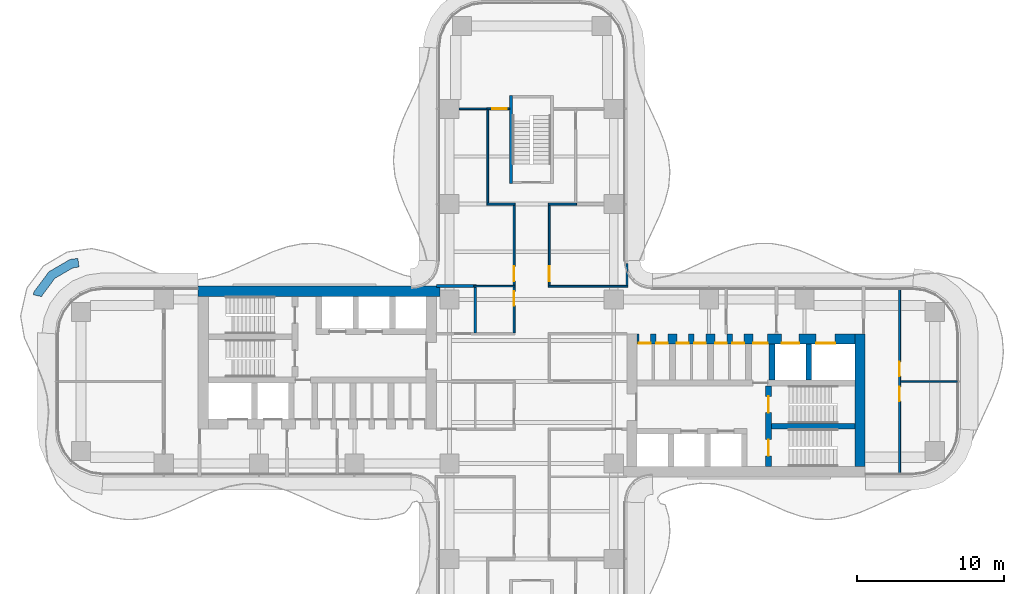
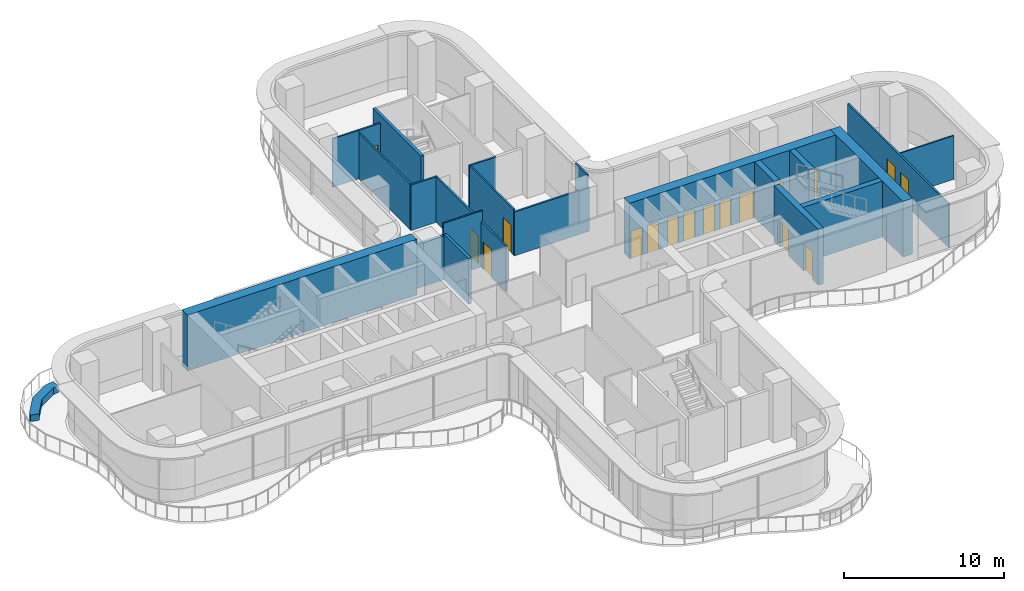
# One storey, part 18 of 21: 24 walls, 17 doors, 17 openings.
"""IFC4 building model written with IfcOpenShell, lengths in metres."""

from ifc_helpers import new_model, si_unit, direction, frame, frame_2d, origin, place, context, subcontext, project, spatial, polyline, rectangle, outline, extrude, source, transform, mapped, material, layer, layer_set, type_object, element, fill, save


model = new_model("IFC4")

# Units and contexts
model_context = context("Model", 3, precision=1e-05, world=origin(), true_north=direction((0.0, 1.0)))
body_context = subcontext(model_context, "Body", "Model", "MODEL_VIEW")
ifc_project = project(units=[si_unit("LENGTHUNIT", "METRE"), si_unit("AREAUNIT", "SQUARE_METRE"), si_unit("VOLUMEUNIT", "CUBIC_METRE"), si_unit("PLANEANGLEUNIT", "RADIAN"), si_unit("MASSUNIT", "GRAM", prefix="KILO")], contexts=[model_context])

# Site, building, storey
site_placement = place(None, origin())
site = spatial("IfcSite", under=ifc_project, at=site_placement, CompositionType="ELEMENT")
building_placement = place(site_placement, origin())
building = spatial("IfcBuilding", under=site, at=building_placement, Name="Trellis Farm Tower", CompositionType="ELEMENT")
storey_placement = place(building_placement, frame((0.0, 0.0, 147.0)))
storey = spatial("IfcBuildingStorey", under=building, at=storey_placement, Name="L31", CompositionType="ELEMENT", Elevation=147.0)

# Walls
ifc_material_1 = material(Name="Sandstone faced masonry planter", Category="masonry")
ifc_layer_1 = layer(ifc_material_1, 0.60009765625)
ifc_layer_set_1 = layer_set([ifc_layer_1], Name="PLANTER BED 600")
wall_type_1 = type_object("IfcWallType", Name="PLANTER BED 600", PredefinedType="USERDEFINED", material=ifc_layer_set_1)
wall_1_placement = place(storey_placement, origin())
element("IfcWall", 1, at=wall_1_placement, inside=storey, type_object=wall_type_1, Name="PLANTER bed", ObjectType="PLANTER", PredefinedType="USERDEFINED", context=body_context, shape_type="SweptSolid", body=[
    extrude(outline(polyline([(-32.934814453125, 7.489013671875), (-31.489990234375, 8.330078125), (-30.95751953125, 8.400634765625), (-30.878662109375, 7.805908203125), (-31.2919921875, 7.751220703125), (-32.527099609375, 7.031982421875), (-33.400146484375, 5.86376953125), (-33.418701171875, 5.782958984375), (-34.00341796875, 5.917724609375), (-33.956298828125, 6.12158203125), (-32.934814453125, 7.489013671875)])), origin(), (0.0, 0.0, 1.0), 0.5),
])
ifc_material_2 = material(Name="Concrete C70/85", Category="concrete")
ifc_layer_2 = layer(ifc_material_2, 0.699951171875)
ifc_layer_set_2 = layer_set([ifc_layer_2], Name="CORE OUTER WALL 700 CONCRETE C70/85")
wall_type_2 = type_object("IfcWallType", Name="CORE OUTER WALL 700 CONCRETE C70/85", PredefinedType="SHEAR", material=ifc_layer_set_2)
shared_shape_1 = source(origin(), body_context, "Body", "SweptSolid", [
    extrude(rectangle(XDim=9.050048828125, YDim=0.699951171875, at=frame_2d((4.52490234375, 0.0))), origin(), (0.0, 0.0, 1.0), 4.25),
])
wall_2_placement = place(storey_placement, frame((22.39990234375, -5.800048828125, 0.0), z_axis=(0.0, 0.0, 1.0), x_axis=(0.0, 1.0, 0.0)))
element("IfcWall", 2, at=wall_2_placement, inside=storey, type_object=wall_type_2, Name="Core wall", PredefinedType="SHEAR", context=body_context, shape_type="MappedRepresentation", body=[
    mapped(shared_shape_1, transform((0.0, 0.0, 0.0))),
])
ifc_layer_3 = layer(ifc_material_2, 0.39990234375)
ifc_layer_set_3 = layer_set([ifc_layer_3], Name="CORE INNER WALL 400 CONCRETE C70/85")
wall_type_3 = type_object("IfcWallType", Name="CORE INNER WALL 400 CONCRETE C70/85", PredefinedType="SHEAR", material=ifc_layer_set_3)
shared_shape_2 = source(origin(), body_context, "Body", "SweptSolid", [
    extrude(rectangle(XDim=2.449951171875, YDim=0.39990234375, at=frame_2d((1.22509765625, 0.0))), origin(), (0.0, 0.0, 1.0), 4.25),
])
for number, where, z_axis, x_axis, name in (
    (3, (16.39990234375, 0.10009765625, 0.0), (0.0, 0.0, 1.0), (0.0, 1.0, 0.0), "Core wall"),
    (4, (18.89990234375, 0.10009765625, 0.0), (0.0, 0.0, 1.0), (0.0, 1.0, 0.0), "Core wall"),
):
    element("IfcWall", number, at=place(storey_placement, frame(where, z_axis=z_axis, x_axis=x_axis)), inside=storey, type_object=wall_type_3, Name=name, PredefinedType="SHEAR", context=body_context, shape_type="MappedRepresentation", body=[
        mapped(shared_shape_2, transform((0.0, 0.0, 0.0))),
    ])

# Wall, openings, doors
shared_shape_3 = source(origin(), body_context, "Body", "SweptSolid", [
    extrude(rectangle(XDim=14.85009765625, YDim=0.699951171875, at=frame_2d((7.425048828125, 0.0))), origin(), (0.0, 0.0, 1.0), 4.25),
])
wall_3_placement = place(storey_placement, frame((7.199951171875, 2.89990234375, 0.0), z_axis=(0.0, 0.0, 1.0), x_axis=(1.0, 0.0, 0.0)))
wall_3 = element("IfcWall", 5, at=wall_3_placement, inside=storey, type_object=wall_type_2, Name="Core wall", PredefinedType="SHEAR", context=body_context, shape_type="MappedRepresentation", body=[
    mapped(shared_shape_3, transform((0.0, 0.0, 0.0))),
])
shared_shape_4 = source(origin(), body_context, "Body", "SweptSolid", [
    extrude(rectangle(XDim=1.300048828125, YDim=2.10009765625, at=frame_2d((0.64990234375, 1.050048828125))), frame((0.0, 0.360107421875, 0.0), z_axis=(0.0, -1.0, 0.0), x_axis=(1.0, 0.0, 0.0)), (0.0, 0.0, 1.0), 0.72021484375),
])
opening_1_placement = place(wall_3_placement, frame((12.199951171875, 0.0, 0.0)))
opening_1 = element("IfcOpeningElement", 6, at=opening_1_placement, cuts=wall_3, Name="Opening LD7", PredefinedType="OPENING", context=body_context, shape_type="MappedRepresentation", body=[
    mapped(shared_shape_4, transform((0.0, 0.0, 0.0))),
])
shared_shape_5 = source(origin(), body_context, "Body", "SweptSolid", [
    extrude(rectangle(XDim=1.199951171875, YDim=2.10009765625, at=frame_2d((0.60009765625, 1.050048828125))), frame((0.0, 0.360107421875, 0.0), z_axis=(0.0, -1.0, 0.0), x_axis=(1.0, 0.0, 0.0)), (0.0, 0.0, 1.0), 0.72021484375),
])
opening_2_placement = place(wall_3_placement, frame((9.85009765625, 0.0, 0.0)))
opening_2 = element("IfcOpeningElement", 7, at=opening_2_placement, cuts=wall_3, Name="Opening LD8", PredefinedType="OPENING", context=body_context, shape_type="MappedRepresentation", body=[
    mapped(shared_shape_5, transform((0.0, 0.0, 0.0))),
])
shared_shape_6 = source(origin(), body_context, "Body", "SweptSolid", [
    extrude(rectangle(XDim=1.0, YDim=2.10009765625, at=frame_2d((0.5, 1.050048828125))), frame((0.0, 0.360107421875, 0.0), z_axis=(0.0, -1.0, 0.0), x_axis=(1.0, 0.0, 0.0)), (0.0, 0.0, 1.0), 0.72021484375),
])
opening_3_placement = place(wall_3_placement, frame((7.89990234375, 0.0, 0.0)))
opening_3 = element("IfcOpeningElement", 8, at=opening_3_placement, cuts=wall_3, Name="Opening DC6", PredefinedType="OPENING", context=body_context, shape_type="MappedRepresentation", body=[
    mapped(shared_shape_6, transform((0.0, 0.0, 0.0))),
])
shared_shape_7 = source(origin(), body_context, "Body", "SweptSolid", [
    extrude(rectangle(XDim=0.800048828125, YDim=2.10009765625, at=frame_2d((0.39990234375, 1.050048828125))), frame((0.0, 0.360107421875, 0.0), z_axis=(0.0, -1.0, 0.0), x_axis=(1.0, 0.0, 0.0)), (0.0, 0.0, 1.0), 0.72021484375),
])
opening_4_placement = place(wall_3_placement, frame((0.112548828125, 0.0, 0.0)))
opening_4 = element("IfcOpeningElement", 9, at=opening_4_placement, cuts=wall_3, Name="Opening DC9", PredefinedType="OPENING", context=body_context, shape_type="MappedRepresentation", body=[
    mapped(shared_shape_7, transform((0.0, 0.0, 0.0))),
])
opening_5_placement = place(wall_3_placement, frame((1.28759765625, 0.0, 0.0)))
opening_5 = element("IfcOpeningElement", 10, at=opening_5_placement, cuts=wall_3, Name="Opening DC16", PredefinedType="OPENING", context=body_context, shape_type="MappedRepresentation", body=[
    mapped(shared_shape_7, transform((0.0, 0.0, 0.0))),
])
opening_6_placement = place(wall_3_placement, frame((2.71240234375, 0.0, 0.0)))
opening_6 = element("IfcOpeningElement", 11, at=opening_6_placement, cuts=wall_3, Name="Opening DC21", PredefinedType="OPENING", context=body_context, shape_type="MappedRepresentation", body=[
    mapped(shared_shape_7, transform((0.0, 0.0, 0.0))),
])
opening_7_placement = place(wall_3_placement, frame((3.887451171875, 0.0, 0.0)))
opening_7 = element("IfcOpeningElement", 12, at=opening_7_placement, cuts=wall_3, Name="Opening DC28", PredefinedType="OPENING", context=body_context, shape_type="MappedRepresentation", body=[
    mapped(shared_shape_7, transform((0.0, 0.0, 0.0))),
])
opening_8_placement = place(wall_3_placement, frame((5.3125, 0.0, 0.0)))
opening_8 = element("IfcOpeningElement", 13, at=opening_8_placement, cuts=wall_3, Name="Opening DC33", PredefinedType="OPENING", context=body_context, shape_type="MappedRepresentation", body=[
    mapped(shared_shape_7, transform((0.0, 0.0, 0.0))),
])
opening_9_placement = place(wall_3_placement, frame((6.487548828125, 0.0, 0.0)))
opening_9 = element("IfcOpeningElement", 14, at=opening_9_placement, cuts=wall_3, Name="Opening DC40", PredefinedType="OPENING", context=body_context, shape_type="MappedRepresentation", body=[
    mapped(shared_shape_7, transform((0.0, 0.0, 0.0))),
])
ifc_material_3 = material(Name="Steel", Category="steel")
door_type_1 = type_object("IfcDoorType", Name="CORE FIRE DOOR 1000 X 2100", OperationType="NOTDEFINED", PredefinedType="DOOR", material=ifc_material_3)
shared_shape_8 = source(origin(), body_context, "Body", "SweptSolid", [
    extrude(rectangle(XDim=1.0, YDim=2.10009765625, at=frame_2d((0.5, 1.050048828125))), frame((0.0, -0.27490234375, 0.0), z_axis=(0.0, -1.0, 0.0), x_axis=(1.0, 0.0, 0.0)), (0.0, 0.0, 1.0), 0.050048828125),
])
door_1_placement = place(opening_3_placement, origin())
door_1 = element("IfcDoor", 15, at=door_1_placement, inside=storey, type_object=door_type_1, Name="Core door", OperationType="SINGLE_SWING_LEFT", OverallHeight=2.10009765625, OverallWidth=1.0, PredefinedType="DOOR", context=body_context, shape_type="MappedRepresentation", body=[
    mapped(shared_shape_8, transform((0.0, 0.0, 0.0))),
])
fill(opening_3, door_1)
ifc_material_4 = material(Name="Stainless steel", Category="steel")
door_type_2 = type_object("IfcDoorType", Name="LIFT LANDING DOOR 1300 X 2100", OperationType="DOUBLE_DOOR_SLIDING", PredefinedType="DOOR", material=ifc_material_4)
shared_shape_9 = source(origin(), body_context, "Body", "SweptSolid", [
    extrude(rectangle(XDim=1.300048828125, YDim=2.10009765625, at=frame_2d((0.64990234375, 1.050048828125))), frame((0.0, -0.27490234375, 0.0), z_axis=(0.0, -1.0, 0.0), x_axis=(1.0, 0.0, 0.0)), (0.0, 0.0, 1.0), 0.050048828125),
])
door_2_placement = place(opening_1_placement, origin())
door_2 = element("IfcDoor", 16, at=door_2_placement, inside=storey, type_object=door_type_2, Name="Lift landing door", OperationType="DOUBLE_DOOR_SLIDING", OverallHeight=2.10009765625, OverallWidth=1.300048828125, PredefinedType="DOOR", context=body_context, shape_type="MappedRepresentation", body=[
    mapped(shared_shape_9, transform((0.0, 0.0, 0.0))),
])
fill(opening_1, door_2)
door_type_3 = type_object("IfcDoorType", Name="LIFT LANDING DOOR 1200 X 2100", OperationType="DOUBLE_DOOR_SLIDING", PredefinedType="DOOR", material=ifc_material_4)
shared_shape_10 = source(origin(), body_context, "Body", "SweptSolid", [
    extrude(rectangle(XDim=1.199951171875, YDim=2.10009765625, at=frame_2d((0.60009765625, 1.050048828125))), frame((0.0, -0.27490234375, 0.0), z_axis=(0.0, -1.0, 0.0), x_axis=(1.0, 0.0, 0.0)), (0.0, 0.0, 1.0), 0.050048828125),
])
door_3_placement = place(opening_2_placement, origin())
door_3 = element("IfcDoor", 17, at=door_3_placement, inside=storey, type_object=door_type_3, Name="Lift landing door", OperationType="DOUBLE_DOOR_SLIDING", OverallHeight=2.10009765625, OverallWidth=1.199951171875, PredefinedType="DOOR", context=body_context, shape_type="MappedRepresentation", body=[
    mapped(shared_shape_10, transform((0.0, 0.0, 0.0))),
])
fill(opening_2, door_3)
door_type_4 = type_object("IfcDoorType", Name="CORE FIRE DOOR 800 X 2100", OperationType="NOTDEFINED", PredefinedType="DOOR", material=ifc_material_3)
shared_shape_11 = source(origin(), body_context, "Body", "SweptSolid", [
    extrude(rectangle(XDim=0.800048828125, YDim=2.10009765625, at=frame_2d((0.39990234375, 1.050048828125))), frame((0.0, -0.27490234375, 0.0), z_axis=(0.0, -1.0, 0.0), x_axis=(1.0, 0.0, 0.0)), (0.0, 0.0, 1.0), 0.050048828125),
])
door_4_placement = place(opening_4_placement, origin())
door_4 = element("IfcDoor", 18, at=door_4_placement, inside=storey, type_object=door_type_4, Name="Core door", OperationType="SINGLE_SWING_LEFT", OverallHeight=2.10009765625, OverallWidth=0.800048828125, PredefinedType="DOOR", context=body_context, shape_type="MappedRepresentation", body=[
    mapped(shared_shape_11, transform((0.0, 0.0, 0.0))),
])
fill(opening_4, door_4)
door_5_placement = place(opening_5_placement, origin())
door_5 = element("IfcDoor", 19, at=door_5_placement, inside=storey, type_object=door_type_4, Name="Core door", OperationType="SINGLE_SWING_RIGHT", OverallHeight=2.10009765625, OverallWidth=0.800048828125, PredefinedType="DOOR", context=body_context, shape_type="MappedRepresentation", body=[
    mapped(shared_shape_11, transform((0.0, 0.0, 0.0))),
])
fill(opening_5, door_5)
door_6_placement = place(opening_6_placement, origin())
door_6 = element("IfcDoor", 20, at=door_6_placement, inside=storey, type_object=door_type_4, Name="Core door", OperationType="SINGLE_SWING_LEFT", OverallHeight=2.10009765625, OverallWidth=0.800048828125, PredefinedType="DOOR", context=body_context, shape_type="MappedRepresentation", body=[
    mapped(shared_shape_11, transform((0.0, 0.0, 0.0))),
])
fill(opening_6, door_6)
door_7_placement = place(opening_7_placement, origin())
door_7 = element("IfcDoor", 21, at=door_7_placement, inside=storey, type_object=door_type_4, Name="Core door", OperationType="SINGLE_SWING_RIGHT", OverallHeight=2.10009765625, OverallWidth=0.800048828125, PredefinedType="DOOR", context=body_context, shape_type="MappedRepresentation", body=[
    mapped(shared_shape_11, transform((0.0, 0.0, 0.0))),
])
fill(opening_7, door_7)
door_8_placement = place(opening_8_placement, origin())
door_8 = element("IfcDoor", 22, at=door_8_placement, inside=storey, type_object=door_type_4, Name="Core door", OperationType="SINGLE_SWING_LEFT", OverallHeight=2.10009765625, OverallWidth=0.800048828125, PredefinedType="DOOR", context=body_context, shape_type="MappedRepresentation", body=[
    mapped(shared_shape_11, transform((0.0, 0.0, 0.0))),
])
fill(opening_8, door_8)
door_9_placement = place(opening_9_placement, origin())
door_9 = element("IfcDoor", 23, at=door_9_placement, inside=storey, type_object=door_type_4, Name="Core door", OperationType="SINGLE_SWING_RIGHT", OverallHeight=2.10009765625, OverallWidth=0.800048828125, PredefinedType="DOOR", context=body_context, shape_type="MappedRepresentation", body=[
    mapped(shared_shape_11, transform((0.0, 0.0, 0.0))),
])
fill(opening_9, door_9)

shared_shape_12 = source(origin(), body_context, "Body", "SweptSolid", [
    extrude(rectangle(XDim=5.5, YDim=0.39990234375, at=frame_2d((2.75, 0.0))), origin(), (0.0, 0.0, 1.0), 4.25),
])
wall_4_placement = place(storey_placement, frame((16.14990234375, -5.800048828125, 0.0), z_axis=(0.0, 0.0, 1.0), x_axis=(0.0, 1.0, 0.0)))
wall_4 = element("IfcWall", 24, at=wall_4_placement, inside=storey, type_object=wall_type_3, Name="Core wall", PredefinedType="SHEAR", context=body_context, shape_type="MappedRepresentation", body=[
    mapped(shared_shape_12, transform((0.0, 0.0, 0.0))),
])
shared_shape_13 = source(origin(), body_context, "Body", "SweptSolid", [
    extrude(rectangle(XDim=1.10009765625, YDim=2.10009765625, at=frame_2d((0.550048828125, 1.050048828125))), frame((0.0, 0.2099609375, 0.0), z_axis=(0.0, -1.0, 0.0), x_axis=(1.0, 0.0, 0.0)), (0.0, 0.0, 1.0), 0.419921875),
])
opening_10_placement = place(wall_4_placement, frame((0.72509765625, 0.0, 0.0)))
opening_10 = element("IfcOpeningElement", 25, at=opening_10_placement, cuts=wall_4, Name="Opening DC2", PredefinedType="OPENING", context=body_context, shape_type="MappedRepresentation", body=[
    mapped(shared_shape_13, transform((0.0, 0.0, 0.0))),
])
opening_11_placement = place(wall_4_placement, frame((3.675048828125, 0.0, 0.0)))
opening_11 = element("IfcOpeningElement", 26, at=opening_11_placement, cuts=wall_4, Name="Opening DC3", PredefinedType="OPENING", context=body_context, shape_type="MappedRepresentation", body=[
    mapped(shared_shape_13, transform((0.0, 0.0, 0.0))),
])
door_type_5 = type_object("IfcDoorType", Name="CORE FIRE DOOR 1100 X 2100", OperationType="NOTDEFINED", PredefinedType="DOOR", material=ifc_material_3)
shared_shape_14 = source(origin(), body_context, "Body", "SweptSolid", [
    extrude(rectangle(XDim=1.10009765625, YDim=2.10009765625, at=frame_2d((0.550048828125, 1.050048828125))), frame((0.0, 0.02490234375, 0.0), z_axis=(0.0, -1.0, 0.0), x_axis=(1.0, 0.0, 0.0)), (0.0, 0.0, 1.0), 0.050048828125),
])
door_10_placement = place(opening_10_placement, origin())
door_10 = element("IfcDoor", 27, at=door_10_placement, inside=storey, type_object=door_type_5, Name="Core door", OperationType="SINGLE_SWING_RIGHT", OverallHeight=2.10009765625, OverallWidth=1.10009765625, PredefinedType="DOOR", context=body_context, shape_type="MappedRepresentation", body=[
    mapped(shared_shape_14, transform((0.0, 0.0, 0.0))),
])
fill(opening_10, door_10)
door_11_placement = place(opening_11_placement, origin())
door_11 = element("IfcDoor", 28, at=door_11_placement, inside=storey, type_object=door_type_5, Name="Core door", OperationType="SINGLE_SWING_LEFT", OverallHeight=2.10009765625, OverallWidth=1.10009765625, PredefinedType="DOOR", context=body_context, shape_type="MappedRepresentation", body=[
    mapped(shared_shape_14, transform((0.0, 0.0, 0.0))),
])
fill(opening_11, door_11)

# Walls
shared_shape_15 = source(origin(), body_context, "Body", "SweptSolid", [
    extrude(rectangle(XDim=5.699951171875, YDim=0.39990234375, at=frame_2d((2.85009765625, 0.0))), origin(), (0.0, 0.0, 1.0), 4.25),
])
wall_5_placement = place(storey_placement, frame((16.35009765625, -3.050048828125, 0.0), z_axis=(0.0, 0.0, 1.0), x_axis=(1.0, 0.0, 0.0)))
element("IfcWall", 29, at=wall_5_placement, inside=storey, type_object=wall_type_3, Name="Core wall", PredefinedType="SHEAR", context=body_context, shape_type="MappedRepresentation", body=[
    mapped(shared_shape_15, transform((0.0, 0.0, 0.0))),
])
shared_shape_16 = source(origin(), body_context, "Body", "SweptSolid", [
    extrude(rectangle(XDim=16.5, YDim=0.699951171875, at=frame_2d((8.25, 0.0))), origin(), (0.0, 0.0, 1.0), 4.25),
])
wall_6_placement = place(storey_placement, frame((-6.25, 6.14990234375, 0.0), z_axis=(0.0, 0.0, 1.0), x_axis=(-1.0, 0.0, 0.0)))
element("IfcWall", 30, at=wall_6_placement, inside=storey, type_object=wall_type_2, Name="Core wall", PredefinedType="SHEAR", context=body_context, shape_type="MappedRepresentation", body=[
    mapped(shared_shape_16, transform((0.0, 0.0, 0.0))),
])
ifc_layer_4 = layer(ifc_material_2, 0.199951171875)
ifc_layer_set_4 = layer_set([ifc_layer_4], Name="CORE STAIR ENCLOSURE WALL 200 CONCRETE C70/85")
wall_type_4 = type_object("IfcWallType", Name="CORE STAIR ENCLOSURE WALL 200 CONCRETE C70/85", PredefinedType="SHEAR", material=ifc_layer_set_4)
shared_shape_17 = source(origin(), body_context, "Body", "SweptSolid", [
    extrude(rectangle(XDim=6.0, YDim=0.199951171875, at=frame_2d((3.0, 0.0))), origin(), (0.0, 0.0, 1.0), 4.25),
])
wall_7_placement = place(storey_placement, frame((-1.39990234375, 13.5, 0.0), z_axis=(0.0, 0.0, 1.0), x_axis=(0.0, 1.0, 0.0)))
element("IfcWall", 31, at=wall_7_placement, inside=storey, type_object=wall_type_4, Name="Stair enclosure wall", PredefinedType="SHEAR", context=body_context, shape_type="MappedRepresentation", body=[
    mapped(shared_shape_17, transform((0.0, 0.0, 0.0))),
])

# Wall, opening, door
ifc_material_5 = material(Name="Plasterboard on steel studs, mineral wool", Category="steel")
ifc_layer_5 = layer(ifc_material_5, 0.125)
ifc_layer_set_5 = layer_set([ifc_layer_5], Name="PARTITION 125 STUD EI 60")
wall_type_5 = type_object("IfcWallType", Name="PARTITION 125 STUD EI 60", PredefinedType="PARTITIONING", material=ifc_layer_set_5)
shared_shape_18 = source(origin(), body_context, "Body", "SweptSolid", [
    extrude(rectangle(XDim=5.47509765625, YDim=0.125, at=frame_2d((2.737548828125, 0.0))), origin(), (0.0, 0.0, 1.0), 3.4677734375),
])
wall_8_placement = place(storey_placement, frame((1.199951171875, 12.03759765625, 0.0), z_axis=(0.0, 0.0, 1.0), x_axis=(0.0, -1.0, 0.0)))
wall_8 = element("IfcWall", 32, at=wall_8_placement, inside=storey, type_object=wall_type_5, Name="Partition PW1", PredefinedType="PARTITIONING", context=body_context, shape_type="MappedRepresentation", body=[
    mapped(shared_shape_18, transform((0.0, 0.0, 0.0))),
])
shared_shape_19 = source(origin(), body_context, "Body", "SweptSolid", [
    extrude(rectangle(XDim=1.0, YDim=2.10009765625, at=frame_2d((0.5, 1.050048828125))), frame((0.0, 0.072509765625, 0.0), z_axis=(0.0, -1.0, 0.0), x_axis=(1.0, 0.0, 0.0)), (0.0, 0.0, 1.0), 0.14501953125),
])
opening_12_placement = place(wall_8_placement, frame((4.1875, 0.0, 0.0)))
opening_12 = element("IfcOpeningElement", 33, at=opening_12_placement, cuts=wall_8, Name="Opening D304", PredefinedType="OPENING", context=body_context, shape_type="MappedRepresentation", body=[
    mapped(shared_shape_19, transform((0.0, 0.0, 0.0))),
])
ifc_material_6 = material(Name="Fire-rated timber door leaf in a hollow metal frame", Category="wood")
door_type_6 = type_object("IfcDoorType", Name="DOOR 1000x2100 FD60", OperationType="NOTDEFINED", PredefinedType="DOOR", material=ifc_material_6)
shared_shape_20 = source(origin(), body_context, "Body", "SweptSolid", [
    extrude(rectangle(XDim=1.0, YDim=2.10009765625, at=frame_2d((0.5, 1.050048828125))), frame((0.0, 0.02490234375, 0.0), z_axis=(0.0, -1.0, 0.0), x_axis=(1.0, 0.0, 0.0)), (0.0, 0.0, 1.0), 0.050048828125),
])
door_12_placement = place(opening_12_placement, origin())
door_12 = element("IfcDoor", 34, at=door_12_placement, inside=storey, type_object=door_type_6, Name="Door D304", OperationType="SINGLE_SWING_RIGHT", OverallHeight=2.10009765625, OverallWidth=1.0, PredefinedType="DOOR", context=body_context, shape_type="MappedRepresentation", body=[
    mapped(shared_shape_20, transform((0.0, 0.0, 0.0))),
])
fill(opening_12, door_12)

# Walls
shared_shape_21 = source(origin(), body_context, "Body", "SweptSolid", [
    extrude(rectangle(XDim=1.468994140625, YDim=0.125, at=frame_2d((0.734375, 0.0))), origin(), (0.0, 0.0, 1.0), 4.25),
])
wall_9_placement = place(storey_placement, frame((6.5, 6.5625, 0.0), z_axis=(0.0, 0.0, 1.0), x_axis=(0.0, 1.0, 0.0)))
element("IfcWall", 35, at=wall_9_placement, inside=storey, type_object=wall_type_5, Name="Partition PW1", PredefinedType="PARTITIONING", context=body_context, shape_type="MappedRepresentation", body=[
    mapped(shared_shape_21, transform((0.0, 0.0, 0.0))),
])
shared_shape_22 = source(origin(), body_context, "Body", "SweptSolid", [
    extrude(rectangle(XDim=1.925048828125, YDim=0.125, at=frame_2d((0.96240234375, 0.0))), origin(), (0.0, 0.0, 1.0), 3.4677734375),
])
for number, where, z_axis, x_axis, name in (
    (36, (-1.137451171875, 12.10009765625, 0.0), (0.0, 0.0, 1.0), (-1.0, 0.0, 0.0), "Partition PW1"),
    (37, (3.0625, 12.10009765625, 0.0), (0.0, 0.0, 1.0), (-1.0, 0.0, 0.0), "Partition PW1"),
):
    element("IfcWall", number, at=place(storey_placement, frame(where, z_axis=z_axis, x_axis=x_axis)), inside=storey, type_object=wall_type_5, Name=name, PredefinedType="PARTITIONING", context=body_context, shape_type="MappedRepresentation", body=[
        mapped(shared_shape_22, transform((0.0, 0.0, 0.0))),
    ])
shared_shape_23 = source(origin(), body_context, "Body", "SweptSolid", [
    extrude(rectangle(XDim=5.425048828125, YDim=0.125, at=frame_2d((2.71240234375, 0.0))), origin(), (0.0, 0.0, 1.0), 3.330078125),
])
wall_10_placement = place(storey_placement, frame((1.137451171875, 6.5, 0.0), z_axis=(0.0, 0.0, 1.0), x_axis=(1.0, 0.0, 0.0)))
element("IfcWall", 38, at=wall_10_placement, inside=storey, type_object=wall_type_5, Name="Partition PW1", PredefinedType="PARTITIONING", context=body_context, shape_type="MappedRepresentation", body=[
    mapped(shared_shape_23, transform((0.0, 0.0, 0.0))),
])

# Wall, opening, door
shared_shape_24 = source(origin(), body_context, "Body", "SweptSolid", [
    extrude(rectangle(XDim=3.137451171875, YDim=0.125, at=frame_2d((1.56884765625, 0.0))), origin(), (0.0, 0.0, 1.0), 3.4677734375),
])
wall_11_placement = place(storey_placement, frame((-1.199951171875, 6.449951171875, 0.0), z_axis=(0.0, 0.0, 1.0), x_axis=(0.0, -1.0, 0.0)))
wall_11 = element("IfcWall", 39, at=wall_11_placement, inside=storey, type_object=wall_type_5, Name="Partition PW1", PredefinedType="PARTITIONING", context=body_context, shape_type="MappedRepresentation", body=[
    mapped(shared_shape_24, transform((0.0, 0.0, 0.0))),
])
opening_13_placement = place(wall_11_placement, frame((0.300048828125, 0.0, 0.0)))
opening_13 = element("IfcOpeningElement", 40, at=opening_13_placement, cuts=wall_11, Name="Opening D111", PredefinedType="OPENING", context=body_context, shape_type="MappedRepresentation", body=[
    mapped(shared_shape_19, transform((0.0, 0.0, 0.0))),
])
door_type_7 = type_object("IfcDoorType", Name="DOOR 1000x2100 FD30S", OperationType="NOTDEFINED", PredefinedType="DOOR", material=ifc_material_6)
door_13_placement = place(opening_13_placement, origin())
door_13 = element("IfcDoor", 41, at=door_13_placement, inside=storey, type_object=door_type_7, Name="Door D111", OperationType="SINGLE_SWING_LEFT", OverallHeight=2.10009765625, OverallWidth=1.0, PredefinedType="DOOR", context=body_context, shape_type="MappedRepresentation", body=[
    mapped(shared_shape_20, transform((0.0, 0.0, 0.0))),
])
fill(opening_13, door_13)

shared_shape_25 = source(origin(), body_context, "Body", "SweptSolid", [
    extrude(rectangle(XDim=5.487548828125, YDim=0.125, at=frame_2d((2.74365234375, 0.0))), origin(), (0.0, 0.0, 1.0), 3.4677734375),
])
wall_12_placement = place(storey_placement, frame((-1.199951171875, 6.550048828125, 0.0), z_axis=(0.0, 0.0, 1.0), x_axis=(0.0, 1.0, 0.0)))
wall_12 = element("IfcWall", 42, at=wall_12_placement, inside=storey, type_object=wall_type_5, Name="Partition PW1", PredefinedType="PARTITIONING", context=body_context, shape_type="MappedRepresentation", body=[
    mapped(shared_shape_25, transform((0.0, 0.0, 0.0))),
])
opening_14_placement = place(wall_12_placement, frame((0.300048828125, 0.0, 0.0)))
opening_14 = element("IfcOpeningElement", 43, at=opening_14_placement, cuts=wall_12, Name="Opening D112", PredefinedType="OPENING", context=body_context, shape_type="MappedRepresentation", body=[
    mapped(shared_shape_19, transform((0.0, 0.0, 0.0))),
])
door_14_placement = place(opening_14_placement, origin())
door_14 = element("IfcDoor", 44, at=door_14_placement, inside=storey, type_object=door_type_7, Name="Door D112", OperationType="SINGLE_SWING_LEFT", OverallHeight=2.10009765625, OverallWidth=1.0, PredefinedType="DOOR", context=body_context, shape_type="MappedRepresentation", body=[
    mapped(shared_shape_20, transform((0.0, 0.0, 0.0))),
])
fill(opening_14, door_14)

shared_shape_26 = source(origin(), body_context, "Body", "SweptSolid", [
    extrude(rectangle(XDim=1.5625, YDim=0.125, at=frame_2d((0.78125, 0.0))), origin(), (0.0, 0.0, 1.0), 3.697021484375),
])
wall_13_placement = place(storey_placement, frame((-3.0625, 18.60009765625, 0.0), z_axis=(0.0, 0.0, 1.0), x_axis=(1.0, 0.0, 0.0)))
wall_13 = element("IfcWall", 45, at=wall_13_placement, inside=storey, type_object=wall_type_5, Name="Partition PW1", PredefinedType="PARTITIONING", context=body_context, shape_type="MappedRepresentation", body=[
    mapped(shared_shape_26, transform((0.0, 0.0, 0.0))),
])
opening_15_placement = place(wall_13_placement, frame((0.362548828125, 0.0, 0.0)))
opening_15 = element("IfcOpeningElement", 46, at=opening_15_placement, cuts=wall_13, Name="Opening D114", PredefinedType="OPENING", context=body_context, shape_type="MappedRepresentation", body=[
    mapped(shared_shape_19, transform((0.0, 0.0, 0.0))),
])
door_15_placement = place(opening_15_placement, origin())
door_15 = element("IfcDoor", 47, at=door_15_placement, inside=storey, type_object=door_type_7, Name="Door D114", OperationType="SINGLE_SWING_RIGHT", OverallHeight=2.10009765625, OverallWidth=1.0, PredefinedType="DOOR", context=body_context, shape_type="MappedRepresentation", body=[
    mapped(shared_shape_20, transform((0.0, 0.0, 0.0))),
])
fill(opening_15, door_15)

# Walls
shared_shape_27 = source(origin(), body_context, "Body", "SweptSolid", [
    extrude(rectangle(XDim=6.387451171875, YDim=0.125, at=frame_2d((3.19384765625, 0.0))), origin(), (0.0, 0.0, 1.0), 3.4677734375),
])
wall_14_placement = place(storey_placement, frame((-3.0, 12.16259765625, 0.0), z_axis=(0.0, 0.0, 1.0), x_axis=(0.0, 1.0, 0.0)))
element("IfcWall", 48, at=wall_14_placement, inside=storey, type_object=wall_type_5, Name="Partition PW1", PredefinedType="PARTITIONING", context=body_context, shape_type="MappedRepresentation", body=[
    mapped(shared_shape_27, transform((0.0, 0.0, 0.0))),
])
ifc_material_7 = material(Name="Plasterboard on steel studs", Category="steel")
ifc_layer_6 = layer(ifc_material_7, 0.10009765625)
ifc_layer_set_6 = layer_set([ifc_layer_6], Name="PARTITION 100 STUD EI 30")
wall_type_6 = type_object("IfcWallType", Name="PARTITION 100 STUD EI 30", PredefinedType="PARTITIONING", material=ifc_layer_set_6)
shared_shape_28 = source(origin(), body_context, "Body", "SweptSolid", [
    extrude(rectangle(XDim=2.012451171875, YDim=0.10009765625, at=frame_2d((1.00634765625, 0.0))), origin(), (0.0, 0.0, 1.0), 3.697021484375),
])
wall_15_placement = place(storey_placement, frame((-4.949951171875, 18.60009765625, 0.0), z_axis=(0.0, 0.0, 1.0), x_axis=(1.0, 0.0, 0.0)))
element("IfcWall", 49, at=wall_15_placement, inside=storey, type_object=wall_type_6, Name="Partition PW2", PredefinedType="PARTITIONING", context=body_context, shape_type="MappedRepresentation", body=[
    mapped(shared_shape_28, transform((0.0, 0.0, 0.0))),
])

# Wall, openings, doors
shared_shape_29 = source(origin(), body_context, "Body", "SweptSolid", [
    extrude(rectangle(XDim=12.60009765625, YDim=0.125, at=frame_2d((6.300048828125, 0.0))), origin(), (0.0, 0.0, 1.0), 3.330078125),
])
wall_16_placement = place(storey_placement, frame((25.10009765625, 6.300048828125, 0.0), z_axis=(0.0, 0.0, 1.0), x_axis=(0.0, -1.0, 0.0)))
wall_16 = element("IfcWall", 50, at=wall_16_placement, inside=storey, type_object=wall_type_5, Name="Partition PW1", PredefinedType="PARTITIONING", context=body_context, shape_type="MappedRepresentation", body=[
    mapped(shared_shape_29, transform((0.0, 0.0, 0.0))),
])
opening_16_placement = place(wall_16_placement, frame((6.64990234375, 0.0, 0.0)))
opening_16 = element("IfcOpeningElement", 51, at=opening_16_placement, cuts=wall_16, Name="Opening D107", PredefinedType="OPENING", context=body_context, shape_type="MappedRepresentation", body=[
    mapped(shared_shape_19, transform((0.0, 0.0, 0.0))),
])
opening_17_placement = place(wall_16_placement, frame((4.949951171875, 0.0, 0.0)))
opening_17 = element("IfcOpeningElement", 52, at=opening_17_placement, cuts=wall_16, Name="Opening D109", PredefinedType="OPENING", context=body_context, shape_type="MappedRepresentation", body=[
    mapped(shared_shape_19, transform((0.0, 0.0, 0.0))),
])
door_16_placement = place(opening_16_placement, origin())
door_16 = element("IfcDoor", 53, at=door_16_placement, inside=storey, type_object=door_type_7, Name="Door D107", OperationType="SINGLE_SWING_LEFT", OverallHeight=2.10009765625, OverallWidth=1.0, PredefinedType="DOOR", context=body_context, shape_type="MappedRepresentation", body=[
    mapped(shared_shape_20, transform((0.0, 0.0, 0.0))),
])
fill(opening_16, door_16)
door_17_placement = place(opening_17_placement, origin())
door_17 = element("IfcDoor", 54, at=door_17_placement, inside=storey, type_object=door_type_7, Name="Door D109", OperationType="SINGLE_SWING_RIGHT", OverallHeight=2.10009765625, OverallWidth=1.0, PredefinedType="DOOR", context=body_context, shape_type="MappedRepresentation", body=[
    mapped(shared_shape_20, transform((0.0, 0.0, 0.0))),
])
fill(opening_17, door_17)

# Walls
shared_shape_30 = source(origin(), body_context, "Body", "SweptSolid", [
    extrude(rectangle(XDim=3.887451171875, YDim=0.10009765625, at=frame_2d((1.94384765625, 0.0))), origin(), (0.0, 0.0, 1.0), 3.330078125),
])
wall_17_placement = place(storey_placement, frame((25.16259765625, 0.0, 0.0), z_axis=(0.0, 0.0, 1.0), x_axis=(1.0, 0.0, 0.0)))
element("IfcWall", 55, at=wall_17_placement, inside=storey, type_object=wall_type_6, Name="Partition PW2", PredefinedType="PARTITIONING", context=body_context, shape_type="MappedRepresentation", body=[
    mapped(shared_shape_30, transform((0.0, 0.0, 0.0))),
])
ifc_material_8 = material(Name="Lightweight blockwork, plastered", Category="masonry")
ifc_layer_7 = layer(ifc_material_8, 0.199951171875)
ifc_layer_set_7 = layer_set([ifc_layer_7], Name="BLOCK WALL 200 EI 120")
wall_type_7 = type_object("IfcWallType", Name="BLOCK WALL 200 EI 120", PredefinedType="PARTITIONING", material=ifc_layer_set_7)
shared_shape_31 = source(origin(), body_context, "Body", "SweptSolid", [
    extrude(rectangle(XDim=3.08740234375, YDim=0.199951171875, at=frame_2d((1.543701171875, 0.0))), origin(), (0.0, 0.0, 1.0), 3.4677734375),
])
wall_18_placement = place(storey_placement, frame((-3.85009765625, 3.3125, 0.0), z_axis=(0.0, 0.0, 1.0), x_axis=(0.0, 1.0, 0.0)))
element("IfcWall", 56, at=wall_18_placement, inside=storey, type_object=wall_type_7, Name="Partition PW3", PredefinedType="PARTITIONING", context=body_context, shape_type="MappedRepresentation", body=[
    mapped(shared_shape_31, transform((0.0, 0.0, 0.0))),
])
shared_shape_32 = source(origin(), body_context, "Body", "SweptSolid", [
    extrude(rectangle(XDim=2.75, YDim=0.199951171875, at=frame_2d((1.375, 0.0))), origin(), (0.0, 0.0, 1.0), 3.330078125),
])
wall_19_placement = place(storey_placement, frame((-6.5, 6.5, 0.0), z_axis=(0.0, 0.0, 1.0), x_axis=(1.0, 0.0, 0.0)))
element("IfcWall", 57, at=wall_19_placement, inside=storey, type_object=wall_type_7, Name="Partition PW3", PredefinedType="PARTITIONING", context=body_context, shape_type="MappedRepresentation", body=[
    mapped(shared_shape_32, transform((0.0, 0.0, 0.0))),
])
shared_shape_33 = source(origin(), body_context, "Body", "SweptSolid", [
    extrude(rectangle(XDim=2.8125, YDim=0.10009765625, at=frame_2d((1.40625, 0.0))), origin(), (0.0, 0.0, 1.0), 4.25),
])
wall_20_placement = place(storey_placement, frame((-3.949951171875, 6.5, 0.0), z_axis=(0.0, 0.0, 1.0), x_axis=(1.0, 0.0, 0.0)))
element("IfcWall", 58, at=wall_20_placement, inside=storey, type_object=wall_type_6, Name="Partition PW2", PredefinedType="PARTITIONING", context=body_context, shape_type="MappedRepresentation", body=[
    mapped(shared_shape_33, transform((0.0, 0.0, 0.0))),
])

save(model, "model.ifc")
